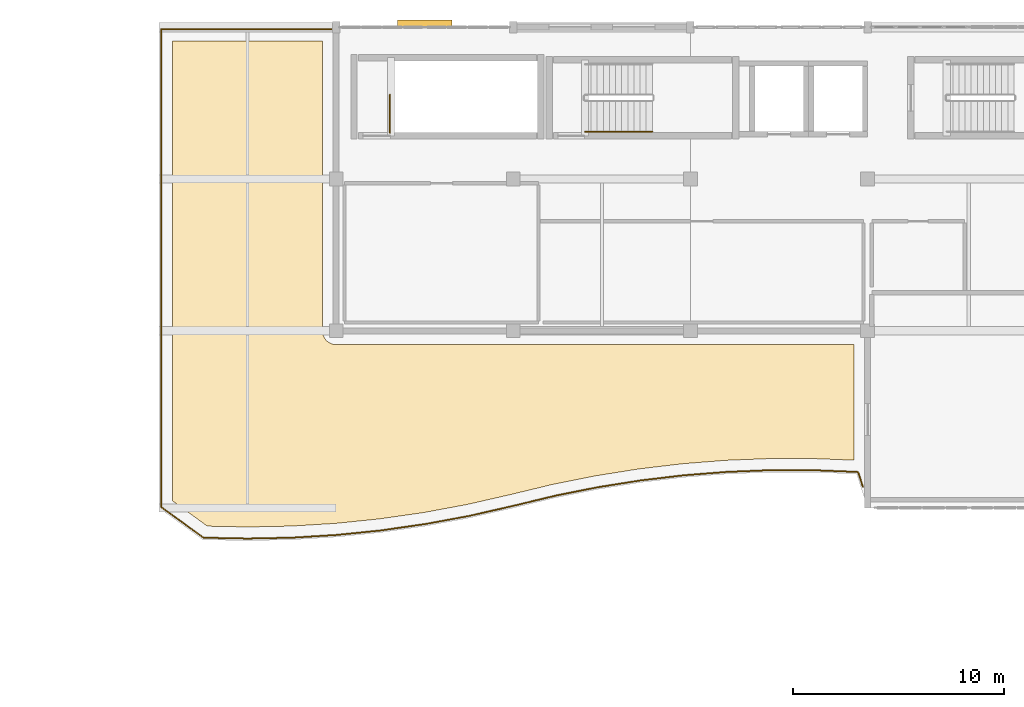
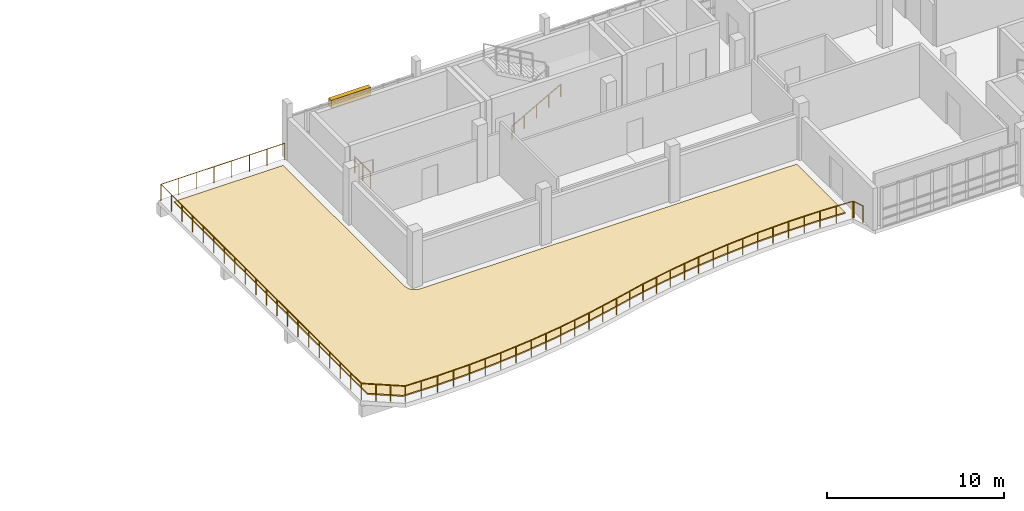
# One storey, part 23 of 25: 4 railings, 1 covering, 1 shading device.
"""IFC4 building model written with IfcOpenShell, lengths in metres."""

from ifc_helpers import new_model, si_unit, direction, frame, origin, origin_2d, place, context, subcontext, project, spatial, polyline, rectangle, circle, outline, extrude, material, layer, layer_set, type_object, element, save


model = new_model("IFC4")

# Units and contexts
model_context = context("Model", 3, precision=1e-05, world=origin(), true_north=direction((0.0, 1.0)))
body_context = subcontext(model_context, "Body", "Model", "MODEL_VIEW")
ifc_project = project(units=[si_unit("LENGTHUNIT", "METRE"), si_unit("AREAUNIT", "SQUARE_METRE"), si_unit("VOLUMEUNIT", "CUBIC_METRE"), si_unit("PLANEANGLEUNIT", "RADIAN"), si_unit("MASSUNIT", "GRAM", prefix="KILO")], contexts=[model_context])

# Site, building, storey
site_placement = place(None, origin())
site = spatial("IfcSite", under=ifc_project, at=site_placement, CompositionType="ELEMENT")
building_placement = place(site_placement, origin())
building = spatial("IfcBuilding", under=site, at=building_placement, Name="Kisaragi Civic Commons", CompositionType="ELEMENT")
storey_placement = place(building_placement, frame((0.0, 0.0, 13.5)))
storey = spatial("IfcBuildingStorey", under=building, at=storey_placement, Name="L03", CompositionType="ELEMENT", Elevation=13.5)

# Railings
ifc_material_1 = material(Name="Hot-dip galvanized and fluoropolymer-coated steel", Category="steel")
railing_type_1 = type_object("IfcRailingType", Name="GRD-E1", PredefinedType="GUARDRAIL", material=ifc_material_1)
railing_1_placement = place(storey_placement, frame((80.5, 96.051025390625, 0.0)))
element("IfcRailing", 1, at=railing_1_placement, inside=storey, type_object=railing_type_1, Name="V4 L03 terrace guardrail 11", PredefinedType="GUARDRAIL", context=body_context, shape_type="SweptSolid", body=[
    extrude(circle(Radius=0.02392578125, at=origin_2d()), frame((0.0, 0.0, 1.1259765625), z_axis=(0.0, 1.0, 0.0), x_axis=(-1.0, 0.0, 0.0)), (0.0, 0.0, 1.0), 22.64892578125),
    extrude(circle(Radius=0.02392578125, at=origin_2d()), frame((0.0, 22.64892578125, 1.1259765625), z_axis=(1.0, 0.0, 0.0), x_axis=(0.0, 1.0, 0.0)), (0.0, 0.0, 1.0), 8.080078125),
    extrude(circle(Radius=0.02099609375, at=origin_2d()), origin(), (0.0, 0.0, 1.0), 1.101806640625),
    extrude(circle(Radius=0.02099609375, at=origin_2d()), frame((0.0, 1.192138671875, 0.0)), (0.0, 0.0, 1.0), 1.101806640625),
    extrude(circle(Radius=0.02099609375, at=origin_2d()), frame((0.0, 2.384033203125, 0.0)), (0.0, 0.0, 1.0), 1.101806640625),
    extrude(circle(Radius=0.02099609375, at=origin_2d()), frame((0.0, 3.576171875, 0.0)), (0.0, 0.0, 1.0), 1.101806640625),
    extrude(circle(Radius=0.02099609375, at=origin_2d()), frame((0.0, 4.768310546875, 0.0)), (0.0, 0.0, 1.0), 1.101806640625),
    extrude(circle(Radius=0.02099609375, at=origin_2d()), frame((0.0, 5.960205078125, 0.0)), (0.0, 0.0, 1.0), 1.101806640625),
    extrude(circle(Radius=0.02099609375, at=origin_2d()), frame((0.0, 7.15234375, 0.0)), (0.0, 0.0, 1.0), 1.101806640625),
    extrude(circle(Radius=0.02099609375, at=origin_2d()), frame((0.0, 8.34423828125, 0.0)), (0.0, 0.0, 1.0), 1.101806640625),
    extrude(circle(Radius=0.02099609375, at=origin_2d()), frame((0.0, 9.536376953125, 0.0)), (0.0, 0.0, 1.0), 1.101806640625),
    extrude(circle(Radius=0.02099609375, at=origin_2d()), frame((0.0, 10.728515625, 0.0)), (0.0, 0.0, 1.0), 1.101806640625),
    extrude(circle(Radius=0.02099609375, at=origin_2d()), frame((0.0, 11.92041015625, 0.0)), (0.0, 0.0, 1.0), 1.101806640625),
    extrude(circle(Radius=0.02099609375, at=origin_2d()), frame((0.0, 13.112548828125, 0.0)), (0.0, 0.0, 1.0), 1.101806640625),
    extrude(circle(Radius=0.02099609375, at=origin_2d()), frame((0.0, 14.3046875, 0.0)), (0.0, 0.0, 1.0), 1.101806640625),
    extrude(circle(Radius=0.02099609375, at=origin_2d()), frame((0.0, 15.49658203125, 0.0)), (0.0, 0.0, 1.0), 1.101806640625),
    extrude(circle(Radius=0.02099609375, at=origin_2d()), frame((0.0, 16.688720703125, 0.0)), (0.0, 0.0, 1.0), 1.101806640625),
    extrude(circle(Radius=0.02099609375, at=origin_2d()), frame((0.0, 17.880615234375, 0.0)), (0.0, 0.0, 1.0), 1.101806640625),
    extrude(circle(Radius=0.02099609375, at=origin_2d()), frame((0.0, 19.07275390625, 0.0)), (0.0, 0.0, 1.0), 1.101806640625),
    extrude(circle(Radius=0.02099609375, at=origin_2d()), frame((0.0, 20.264892578125, 0.0)), (0.0, 0.0, 1.0), 1.101806640625),
    extrude(circle(Radius=0.02099609375, at=origin_2d()), frame((0.0, 21.456787109375, 0.0)), (0.0, 0.0, 1.0), 1.101806640625),
    extrude(circle(Radius=0.02099609375, at=origin_2d()), frame((0.0, 22.64892578125, 0.0)), (0.0, 0.0, 1.0), 1.101806640625),
    extrude(circle(Radius=0.02099609375, at=origin_2d()), frame((1.154296875, 22.64892578125, 0.0)), (0.0, 0.0, 1.0), 1.101806640625),
    extrude(circle(Radius=0.02099609375, at=origin_2d()), frame((2.30859375, 22.64892578125, 0.0)), (0.0, 0.0, 1.0), 1.101806640625),
    extrude(circle(Radius=0.02099609375, at=origin_2d()), frame((3.462890625, 22.64892578125, 0.0)), (0.0, 0.0, 1.0), 1.101806640625),
    extrude(circle(Radius=0.02099609375, at=origin_2d()), frame((4.6171875, 22.64892578125, 0.0)), (0.0, 0.0, 1.0), 1.101806640625),
    extrude(circle(Radius=0.02099609375, at=origin_2d()), frame((5.771484375, 22.64892578125, 0.0)), (0.0, 0.0, 1.0), 1.101806640625),
    extrude(circle(Radius=0.02099609375, at=origin_2d()), frame((6.92578125, 22.64892578125, 0.0)), (0.0, 0.0, 1.0), 1.101806640625),
    extrude(circle(Radius=0.02099609375, at=origin_2d()), frame((8.080078125, 22.64892578125, 0.0)), (0.0, 0.0, 1.0), 1.101806640625),
])
railing_2_placement = place(storey_placement, frame((113.780029296875, 97.004150390625, 0.0)))
element("IfcRailing", 2, at=railing_2_placement, inside=storey, type_object=railing_type_1, Name="V4 L03 terrace guardrail 12", PredefinedType="GUARDRAIL", context=body_context, shape_type="SweptSolid", body=[
    extrude(circle(Radius=0.02392578125, at=origin_2d()), frame((0.0, 0.0, 1.1259765625), z_axis=(-0.308033299945, 0.951375575745, 0.0), x_axis=(-0.951375575745, -0.308033299945, 0.0)), (0.0, 0.0, 1.0), 0.67138671875),
    extrude(circle(Radius=0.02392578125, at=origin_2d()), frame((-0.206787109375, 0.638671875, 1.1259765625), z_axis=(-0.358979079309, 0.933345606203, 0.0), x_axis=(-0.933345606203, -0.358979079309, 0.0)), (0.0, 0.0, 1.0), 0.01025390625),
    extrude(circle(Radius=0.02392578125, at=origin_2d()), frame((-0.21044921875, 0.648193359375, 1.1259765625), z_axis=(-0.428086344739, 0.903737838894, 0.0), x_axis=(-0.903737838894, -0.428086344739, 0.0)), (0.0, 0.0, 1.0), 0.01025390625),
    extrude(circle(Radius=0.02392578125, at=origin_2d()), frame((-0.21484375, 0.657470703125, 1.1259765625), z_axis=(-0.560309367704, 0.828283413128, 0.0), x_axis=(-0.828283413128, -0.560309367704, 0.0)), (0.0, 0.0, 1.0), 0.010009765625),
    extrude(circle(Radius=0.02392578125, at=origin_2d()), frame((-0.220458984375, 0.665771484375, 1.1259765625), z_axis=(-0.618872226604, 0.785491672228, 0.0), x_axis=(-0.785491672228, -0.618872226604, 0.0)), (0.0, 0.0, 1.0), 0.01025390625),
    extrude(circle(Radius=0.02392578125, at=origin_2d()), frame((-0.226806640625, 0.673828125, 1.1259765625), z_axis=(-0.68231825036, 0.731055268243, 0.0), x_axis=(-0.731055268243, -0.68231825036, 0.0)), (0.0, 0.0, 1.0), 0.010009765625),
    extrude(circle(Radius=0.02392578125, at=origin_2d()), frame((-0.233642578125, 0.68115234375, 1.1259765625), z_axis=(-0.764291483508, 0.64487093921, 0.0), x_axis=(-0.64487093921, -0.764291483508, 0.0)), (0.0, 0.0, 1.0), 0.01025390625),
    extrude(circle(Radius=0.02392578125, at=origin_2d()), frame((-0.241455078125, 0.687744140625, 1.1259765625), z_axis=(-0.835705479701, 0.549177886661, 0.0), x_axis=(-0.549177886661, -0.835705479701, 0.0)), (0.0, 0.0, 1.0), 0.01025390625),
    extrude(circle(Radius=0.02392578125, at=origin_2d()), frame((-0.25, 0.693359375, 1.1259765625), z_axis=(-0.874157276122, 0.485642931179, 0.0), x_axis=(-0.485642931179, -0.874157276122, 0.0)), (0.0, 0.0, 1.0), 0.010009765625),
    extrude(circle(Radius=0.02392578125, at=origin_2d()), frame((-0.2587890625, 0.6982421875, 1.1259765625), z_axis=(-0.925168618375, 0.379556356256, 0.0), x_axis=(-0.379556356256, -0.925168618375, 0.0)), (0.0, 0.0, 1.0), 0.01025390625),
    extrude(circle(Radius=0.02392578125, at=origin_2d()), frame((-0.268310546875, 0.7021484375, 1.1259765625), z_axis=(-0.955779008722, 0.294085848838, 0.0), x_axis=(-0.294085848838, -0.955779008722, 0.0)), (0.0, 0.0, 1.0), 0.010009765625),
    extrude(circle(Radius=0.02392578125, at=origin_2d()), frame((-0.27783203125, 0.705078125, 1.1259765625), z_axis=(-0.981490592026, 0.19151035942, 0.0), x_axis=(-0.19151035942, -0.981490592026, 0.0)), (0.0, 0.0, 1.0), 0.01025390625),
    extrude(circle(Radius=0.02392578125, at=origin_2d()), frame((-0.287841796875, 0.70703125, 1.1259765625), z_axis=(-0.997458699831, 0.071247049988, 0.0), x_axis=(-0.071247049988, -0.997458699831, 0.0)), (0.0, 0.0, 1.0), 0.01025390625),
    extrude(circle(Radius=0.02392578125, at=origin_2d()), frame((-0.298095703125, 0.707763671875, 1.1259765625), z_axis=(-0.999220404448, 0.039478897332, 0.0), x_axis=(-0.039478897332, -0.999220404448, 0.0)), (0.0, 0.0, 1.0), 2.05322265625),
    extrude(circle(Radius=0.02392578125, at=origin_2d()), frame((-2.349609375, 0.788818359375, 1.1259765625), z_axis=(-0.998052578483, 0.062378286155, 0.0), x_axis=(-0.062378286155, -0.998052578483, 0.0)), (0.0, 0.0, 1.0), 0.00390625),
    extrude(circle(Radius=0.02392578125, at=origin_2d()), frame((-2.353515625, 0.7890625, 1.1259765625), z_axis=(-1.0, 0.0, 0.0), x_axis=(0.0, -1.0, 0.0)), (0.0, 0.0, 1.0), 2.05322265625),
    extrude(circle(Radius=0.02392578125, at=origin_2d()), frame((-4.40673828125, 0.7890625, 1.1259765625), z_axis=(-0.998052578483, -0.062378286155, 0.0), x_axis=(0.062378286155, -0.998052578483, 0.0)), (0.0, 0.0, 1.0), 0.00390625),
    extrude(circle(Radius=0.02392578125, at=origin_2d()), frame((-4.41064453125, 0.788818359375, 1.1259765625), z_axis=(-0.99922021908, -0.039483588757, 0.0), x_axis=(0.039483588757, -0.99922021908, 0.0)), (0.0, 0.0, 1.0), 2.052978515625),
    extrude(circle(Radius=0.02392578125, at=origin_2d()), frame((-6.4619140625, 0.707763671875, 1.1259765625), z_axis=(-1.0, 0.0, 0.0), x_axis=(0.0, -1.0, 0.0)), (0.0, 0.0, 1.0), 0.004150390625),
    extrude(circle(Radius=0.02392578125, at=origin_2d()), frame((-6.466064453125, 0.707763671875, 1.1259765625), z_axis=(-0.996877736549, -0.078960612796, 0.0), x_axis=(0.078960612796, -0.996877736549, 0.0)), (0.0, 0.0, 1.0), 2.052978515625),
    extrude(circle(Radius=0.02392578125, at=origin_2d()), frame((-8.5126953125, 0.545654296875, 1.1259765625), z_axis=(-0.992277876714, -0.124034734589, 0.0), x_axis=(0.124034734589, -0.992277876714, 0.0)), (0.0, 0.0, 1.0), 0.00390625),
    extrude(circle(Radius=0.02392578125, at=origin_2d()), frame((-8.5166015625, 0.545166015625, 1.1259765625), z_axis=(-0.993004549051, -0.118076100731, 0.0), x_axis=(0.118076100731, -0.993004549051, 0.0)), (0.0, 0.0, 1.0), 2.05322265625),
    extrude(circle(Radius=0.02392578125, at=origin_2d()), frame((-10.555419921875, 0.302734375, 1.1259765625), z_axis=(-0.992277876714, -0.124034734589, 0.0), x_axis=(0.124034734589, -0.992277876714, 0.0)), (0.0, 0.0, 1.0), 0.00390625),
    extrude(circle(Radius=0.02392578125, at=origin_2d()), frame((-10.559326171875, 0.30224609375, 1.1259765625), z_axis=(-0.98754505364, -0.157336477115, 0.0), x_axis=(0.157336477115, -0.98754505364, 0.0)), (0.0, 0.0, 1.0), 2.052978515625),
    extrude(circle(Radius=0.02392578125, at=origin_2d()), frame((-12.586669921875, -0.020751953125, 1.1259765625), z_axis=(-0.982872186934, -0.18428853505, 0.0), x_axis=(0.18428853505, -0.982872186934, 0.0)), (0.0, 0.0, 1.0), 0.00390625),
    extrude(circle(Radius=0.02392578125, at=origin_2d()), frame((-12.590576171875, -0.021484375, 1.1259765625), z_axis=(-0.980585249135, -0.196093266532, 0.0), x_axis=(0.196093266532, -0.980585249135, 0.0)), (0.0, 0.0, 1.0), 2.052978515625),
    extrude(circle(Radius=0.02392578125, at=origin_2d()), frame((-14.603759765625, -0.424072265625, 1.1259765625), z_axis=(-0.970142500145, -0.242535625036, 0.0), x_axis=(0.242535625036, -0.970142500145, 0.0)), (0.0, 0.0, 1.0), 0.00390625),
    extrude(circle(Radius=0.02392578125, at=origin_2d()), frame((-14.607666015625, -0.425048828125, 1.1259765625), z_axis=(-0.972076595512, -0.234663785996, 0.0), x_axis=(0.234663785996, -0.972076595512, 0.0)), (0.0, 0.0, 1.0), 2.052734375),
    extrude(circle(Radius=0.02392578125, at=origin_2d()), frame((-16.60302734375, -0.90673828125, 1.1259765625), z_axis=(-0.974920699526, -0.222552532307, 0.0), x_axis=(0.222552532307, -0.974920699526, 0.0)), (0.0, 0.0, 1.0), 2.118408203125),
    extrude(circle(Radius=0.02392578125, at=origin_2d()), frame((-18.668212890625, -1.378173828125, 1.1259765625), z_axis=(-0.98321002825, -0.182477506416, 0.0), x_axis=(0.182477506416, -0.98321002825, 0.0)), (0.0, 0.0, 1.0), 2.11669921875),
    extrude(circle(Radius=0.02392578125, at=origin_2d()), frame((-20.749267578125, -1.764404296875, 1.1259765625), z_axis=(-0.989822239462, -0.142309290865, 0.0), x_axis=(0.142309290865, -0.989822239462, 0.0)), (0.0, 0.0, 1.0), 2.116943359375),
    extrude(circle(Radius=0.02392578125, at=origin_2d()), frame((-22.8447265625, -2.065673828125, 1.1259765625), z_axis=(-0.994801528172, -0.101832801922, 0.0), x_axis=(0.101832801922, -0.994801528172, 0.0)), (0.0, 0.0, 1.0), 2.116943359375),
    extrude(circle(Radius=0.02392578125, at=origin_2d()), frame((-24.95068359375, -2.28125, 1.1259765625), z_axis=(-0.998130315711, -0.061121787097, 0.0), x_axis=(0.061121787097, -0.998130315711, 0.0)), (0.0, 0.0, 1.0), 2.116943359375),
    extrude(circle(Radius=0.02392578125, at=origin_2d()), frame((-27.063720703125, -2.41064453125, 1.1259765625), z_axis=(-0.999791578297, -0.020415679437, 0.0), x_axis=(0.020415679437, -0.999791578297, 0.0)), (0.0, 0.0, 1.0), 2.11669921875),
    extrude(circle(Radius=0.02392578125, at=origin_2d()), frame((-29.179931640625, -2.453857421875, 1.1259765625), z_axis=(-0.999790599631, 0.020463550285, 0.0), x_axis=(-0.020463550285, -0.999790599631, 0.0)), (0.0, 0.0, 1.0), 2.087890625),
    extrude(circle(Radius=0.02392578125, at=origin_2d()), frame((-31.267333984375, -2.4111328125, 1.1259765625), z_axis=(-0.809839124522, 0.58665201985, 0.0), x_axis=(-0.58665201985, -0.809839124522, 0.0)), (0.0, 0.0, 1.0), 2.4853515625),
    extrude(circle(Radius=0.02099609375, at=origin_2d()), origin(), (0.0, 0.0, 1.0), 1.101806640625),
    extrude(circle(Radius=0.02099609375, at=origin_2d()), frame((-0.206787109375, 0.638671875, 0.0)), (0.0, 0.0, 1.0), 1.101806640625),
    extrude(circle(Radius=0.02099609375, at=origin_2d()), frame((-0.21044921875, 0.648193359375, 0.0)), (0.0, 0.0, 1.0), 1.101806640625),
    extrude(circle(Radius=0.02099609375, at=origin_2d()), frame((-0.21484375, 0.657470703125, 0.0)), (0.0, 0.0, 1.0), 1.101806640625),
    extrude(circle(Radius=0.02099609375, at=origin_2d()), frame((-0.220458984375, 0.665771484375, 0.0)), (0.0, 0.0, 1.0), 1.101806640625),
    extrude(circle(Radius=0.02099609375, at=origin_2d()), frame((-0.226806640625, 0.673828125, 0.0)), (0.0, 0.0, 1.0), 1.101806640625),
    extrude(circle(Radius=0.02099609375, at=origin_2d()), frame((-0.233642578125, 0.68115234375, 0.0)), (0.0, 0.0, 1.0), 1.101806640625),
    extrude(circle(Radius=0.02099609375, at=origin_2d()), frame((-0.241455078125, 0.687744140625, 0.0)), (0.0, 0.0, 1.0), 1.101806640625),
    extrude(circle(Radius=0.02099609375, at=origin_2d()), frame((-0.25, 0.693359375, 0.0)), (0.0, 0.0, 1.0), 1.101806640625),
    extrude(circle(Radius=0.02099609375, at=origin_2d()), frame((-0.2587890625, 0.6982421875, 0.0)), (0.0, 0.0, 1.0), 1.101806640625),
    extrude(circle(Radius=0.02099609375, at=origin_2d()), frame((-0.268310546875, 0.7021484375, 0.0)), (0.0, 0.0, 1.0), 1.101806640625),
    extrude(circle(Radius=0.02099609375, at=origin_2d()), frame((-0.27783203125, 0.705078125, 0.0)), (0.0, 0.0, 1.0), 1.101806640625),
    extrude(circle(Radius=0.02099609375, at=origin_2d()), frame((-0.287841796875, 0.70703125, 0.0)), (0.0, 0.0, 1.0), 1.101806640625),
    extrude(circle(Radius=0.02099609375, at=origin_2d()), frame((-0.298095703125, 0.707763671875, 0.0)), (0.0, 0.0, 1.0), 1.101806640625),
    extrude(circle(Radius=0.02099609375, at=origin_2d()), frame((-1.32373046875, 0.748291015625, 0.0)), (0.0, 0.0, 1.0), 1.101806640625),
    extrude(circle(Radius=0.02099609375, at=origin_2d()), frame((-2.349609375, 0.788818359375, 0.0)), (0.0, 0.0, 1.0), 1.101806640625),
    extrude(circle(Radius=0.02099609375, at=origin_2d()), frame((-2.353515625, 0.7890625, 0.0)), (0.0, 0.0, 1.0), 1.101806640625),
    extrude(circle(Radius=0.02099609375, at=origin_2d()), frame((-3.380126953125, 0.7890625, 0.0)), (0.0, 0.0, 1.0), 1.101806640625),
    extrude(circle(Radius=0.02099609375, at=origin_2d()), frame((-4.40673828125, 0.7890625, 0.0)), (0.0, 0.0, 1.0), 1.101806640625),
    extrude(circle(Radius=0.02099609375, at=origin_2d()), frame((-4.41064453125, 0.788818359375, 0.0)), (0.0, 0.0, 1.0), 1.101806640625),
    extrude(circle(Radius=0.02099609375, at=origin_2d()), frame((-5.436279296875, 0.748291015625, 0.0)), (0.0, 0.0, 1.0), 1.101806640625),
    extrude(circle(Radius=0.02099609375, at=origin_2d()), frame((-6.4619140625, 0.707763671875, 0.0)), (0.0, 0.0, 1.0), 1.101806640625),
    extrude(circle(Radius=0.02099609375, at=origin_2d()), frame((-6.466064453125, 0.707763671875, 0.0)), (0.0, 0.0, 1.0), 1.101806640625),
    extrude(circle(Radius=0.02099609375, at=origin_2d()), frame((-7.4892578125, 0.626708984375, 0.0)), (0.0, 0.0, 1.0), 1.101806640625),
    extrude(circle(Radius=0.02099609375, at=origin_2d()), frame((-8.5126953125, 0.545654296875, 0.0)), (0.0, 0.0, 1.0), 1.101806640625),
    extrude(circle(Radius=0.02099609375, at=origin_2d()), frame((-8.5166015625, 0.545166015625, 0.0)), (0.0, 0.0, 1.0), 1.101806640625),
    extrude(circle(Radius=0.02099609375, at=origin_2d()), frame((-9.5361328125, 0.423828125, 0.0)), (0.0, 0.0, 1.0), 1.101806640625),
    extrude(circle(Radius=0.02099609375, at=origin_2d()), frame((-10.555419921875, 0.302734375, 0.0)), (0.0, 0.0, 1.0), 1.101806640625),
    extrude(circle(Radius=0.02099609375, at=origin_2d()), frame((-10.559326171875, 0.30224609375, 0.0)), (0.0, 0.0, 1.0), 1.101806640625),
    extrude(circle(Radius=0.02099609375, at=origin_2d()), frame((-11.572998046875, 0.140625, 0.0)), (0.0, 0.0, 1.0), 1.101806640625),
    extrude(circle(Radius=0.02099609375, at=origin_2d()), frame((-12.586669921875, -0.020751953125, 0.0)), (0.0, 0.0, 1.0), 1.101806640625),
    extrude(circle(Radius=0.02099609375, at=origin_2d()), frame((-12.590576171875, -0.021484375, 0.0)), (0.0, 0.0, 1.0), 1.101806640625),
    extrude(circle(Radius=0.02099609375, at=origin_2d()), frame((-13.59716796875, -0.22265625, 0.0)), (0.0, 0.0, 1.0), 1.101806640625),
    extrude(circle(Radius=0.02099609375, at=origin_2d()), frame((-14.603759765625, -0.424072265625, 0.0)), (0.0, 0.0, 1.0), 1.101806640625),
    extrude(circle(Radius=0.02099609375, at=origin_2d()), frame((-14.607666015625, -0.425048828125, 0.0)), (0.0, 0.0, 1.0), 1.101806640625),
    extrude(circle(Radius=0.02099609375, at=origin_2d()), frame((-15.60546875, -0.666015625, 0.0)), (0.0, 0.0, 1.0), 1.101806640625),
    extrude(circle(Radius=0.02099609375, at=origin_2d()), frame((-16.60302734375, -0.90673828125, 0.0)), (0.0, 0.0, 1.0), 1.101806640625),
    extrude(circle(Radius=0.02099609375, at=origin_2d()), frame((-17.6357421875, -1.142578125, 0.0)), (0.0, 0.0, 1.0), 1.101806640625),
    extrude(circle(Radius=0.02099609375, at=origin_2d()), frame((-18.668212890625, -1.378173828125, 0.0)), (0.0, 0.0, 1.0), 1.101806640625),
    extrude(circle(Radius=0.02099609375, at=origin_2d()), frame((-19.708740234375, -1.5712890625, 0.0)), (0.0, 0.0, 1.0), 1.101806640625),
    extrude(circle(Radius=0.02099609375, at=origin_2d()), frame((-20.749267578125, -1.764404296875, 0.0)), (0.0, 0.0, 1.0), 1.101806640625),
    extrude(circle(Radius=0.02099609375, at=origin_2d()), frame((-21.796875, -1.9150390625, 0.0)), (0.0, 0.0, 1.0), 1.101806640625),
    extrude(circle(Radius=0.02099609375, at=origin_2d()), frame((-22.8447265625, -2.065673828125, 0.0)), (0.0, 0.0, 1.0), 1.101806640625),
    extrude(circle(Radius=0.02099609375, at=origin_2d()), frame((-23.897705078125, -2.17333984375, 0.0)), (0.0, 0.0, 1.0), 1.101806640625),
    extrude(circle(Radius=0.02099609375, at=origin_2d()), frame((-24.95068359375, -2.28125, 0.0)), (0.0, 0.0, 1.0), 1.101806640625),
    extrude(circle(Radius=0.02099609375, at=origin_2d()), frame((-26.00732421875, -2.345947265625, 0.0)), (0.0, 0.0, 1.0), 1.101806640625),
    extrude(circle(Radius=0.02099609375, at=origin_2d()), frame((-27.063720703125, -2.41064453125, 0.0)), (0.0, 0.0, 1.0), 1.101806640625),
    extrude(circle(Radius=0.02099609375, at=origin_2d()), frame((-28.121826171875, -2.43212890625, 0.0)), (0.0, 0.0, 1.0), 1.101806640625),
    extrude(circle(Radius=0.02099609375, at=origin_2d()), frame((-29.179931640625, -2.453857421875, 0.0)), (0.0, 0.0, 1.0), 1.101806640625),
    extrude(circle(Radius=0.02099609375, at=origin_2d()), frame((-30.2236328125, -2.4326171875, 0.0)), (0.0, 0.0, 1.0), 1.101806640625),
    extrude(circle(Radius=0.02099609375, at=origin_2d()), frame((-31.267333984375, -2.4111328125, 0.0)), (0.0, 0.0, 1.0), 1.101806640625),
    extrude(circle(Radius=0.02099609375, at=origin_2d()), frame((-31.938232421875, -1.925048828125, 0.0)), (0.0, 0.0, 1.0), 1.101806640625),
    extrude(circle(Radius=0.02099609375, at=origin_2d()), frame((-32.609130859375, -1.439208984375, 0.0)), (0.0, 0.0, 1.0), 1.101806640625),
    extrude(circle(Radius=0.02099609375, at=origin_2d()), frame((-33.280029296875, -0.953125, 0.0)), (0.0, 0.0, 1.0), 1.101806640625),
])
ifc_material_2 = material(Name="Powder-coated architectural steel and hinoki cap rail", Category="steel")
railing_type_2 = type_object("IfcRailingType", Name="GRD-S1", PredefinedType="GUARDRAIL", material=ifc_material_2)
railing_3_placement = place(storey_placement, frame((91.35009765625, 113.800048828125, 0.0)))
element("IfcRailing", 3, at=railing_3_placement, inside=storey, type_object=railing_type_2, Name="L03 ST-L4 top well guard 1", PredefinedType="GUARDRAIL", context=body_context, shape_type="SweptSolid", body=[
    extrude(circle(Radius=0.02392578125, at=origin_2d()), frame((0.0, 0.0, 1.1259765625), z_axis=(0.0, 1.0, 0.0), x_axis=(-1.0, 0.0, 0.0)), (0.0, 0.0, 1.0), 1.800048828125),
    extrude(circle(Radius=0.02099609375, at=origin_2d()), origin(), (0.0, 0.0, 1.0), 1.101806640625),
    extrude(circle(Radius=0.02099609375, at=origin_2d()), frame((0.0, 0.89990234375, 0.0)), (0.0, 0.0, 1.0), 1.101806640625),
    extrude(circle(Radius=0.02099609375, at=origin_2d()), frame((0.0, 1.800048828125, 0.0)), (0.0, 0.0, 1.0), 1.101806640625),
])
railing_type_3 = type_object("IfcRailingType", Name="HRL-01", PredefinedType="HANDRAIL", material=ifc_material_2)
railing_4_placement = place(storey_placement, frame((100.60009765625, 113.85009765625, 0.16259765625)))
element("IfcRailing", 4, at=railing_4_placement, inside=storey, type_object=railing_type_3, Name="L03 ST-L1 stair handrail 1", PredefinedType="HANDRAIL", context=body_context, shape_type="SweptSolid", body=[
    extrude(circle(Radius=0.02392578125, at=origin_2d()), frame((0.0, 0.0, 0.8759765625), z_axis=(0.872390997893, 0.0, 0.488808701636), x_axis=(0.0, 1.0, 0.0)), (0.0, 0.0, 1.0), 3.656494140625),
    extrude(circle(Radius=0.02099609375, at=origin_2d()), origin(), (0.0, 0.0, 1.0), 0.851806640625),
    extrude(circle(Radius=0.02099609375, at=origin_2d()), frame((0.79736328125, 0.0, 0.44677734375)), (0.0, 0.0, 1.0), 0.851806640625),
    extrude(circle(Radius=0.02099609375, at=origin_2d()), frame((1.594970703125, 0.0, 0.8935546875)), (0.0, 0.0, 1.0), 0.851806640625),
    extrude(circle(Radius=0.02099609375, at=origin_2d()), frame((2.392578125, 0.0, 1.340576171875)), (0.0, 0.0, 1.0), 0.851806640625),
    extrude(circle(Radius=0.02099609375, at=origin_2d()), frame((3.18994140625, 0.0, 1.787353515625)), (0.0, 0.0, 1.0), 0.851806640625),
])

# Covering
ifc_material_3 = material(Name="Extensive sedum planted roof assembly")
ifc_layer_1 = layer(ifc_material_3, 0.0849609375, Name="Extensive sedum planted roof assembly")
ifc_layer_set_1 = layer_set([ifc_layer_1], Name="Extensive sedum planted roof assembly")
covering_type = type_object("IfcCoveringType", Name="RFG-02", PredefinedType="ROOFING", material=ifc_layer_set_1)
covering_placement = place(storey_placement, origin())
element("IfcCovering", 5, at=covering_placement, inside=storey, type_object=covering_type, Name="V4 L03 planted terrace sedum covering", PredefinedType="ROOFING", context=body_context, shape_type="SweptSolid", body=[
    extrude(outline(polyline([(81.050048828125, 96.331787109375), (81.050048828125, 118.14990234375), (88.14990234375, 118.14990234375), (88.14990234375, 104.39990234375), (88.153076171875, 104.336181640625), (88.16259765625, 104.273193359375), (88.177978515625, 104.211181640625), (88.199462890625, 104.1513671875), (88.226806640625, 104.093505859375), (88.259521484375, 104.038818359375), (88.297607421875, 103.987548828125), (88.34033203125, 103.9404296875), (88.3876953125, 103.8974609375), (88.43896484375, 103.859619140625), (88.49365234375, 103.826904296875), (88.55126953125, 103.799560546875), (88.611328125, 103.778076171875), (88.673095703125, 103.762451171875), (88.736328125, 103.753173828125), (88.800048828125, 103.75), (113.35009765625, 103.75), (113.35009765625, 98.267578125), (111.4521484375, 98.342529296875), (111.426513671875, 98.343017578125), (109.373291015625, 98.343017578125), (109.347900390625, 98.342529296875), (107.29638671875, 98.26171875), (107.2705078125, 98.260009765625), (105.223876953125, 98.09814453125), (105.198486328125, 98.095458984375), (103.15966796875, 97.852783203125), (103.13427734375, 97.849365234375), (101.106689453125, 97.526611328125), (101.08154296875, 97.52197265625), (99.068359375, 97.119384765625), (99.043212890625, 97.11376953125), (97.051513671875, 96.6328125), (95.00048828125, 96.164794921875), (92.94140625, 95.782470703125), (90.8681640625, 95.484619140625), (88.784423828125, 95.271240234375), (86.694091796875, 95.143310546875), (84.60009765625, 95.1005859375), (82.696044921875, 95.139404296875), (81.050048828125, 96.331787109375)])), origin(), (0.0, 0.0, 1.0), 0.0849609375),
])

# Shading device
ifc_material_4 = material(Name="Extruded Tokoname terracotta sun-louvre blade", Category="masonry")
ifc_layer_2 = layer(ifc_material_4, 0.550048828125, Name="Extruded Tokoname terracotta sun-louvre blade", Category="masonry")
ifc_layer_set_2 = layer_set([ifc_layer_2], Name="Extruded Tokoname terracotta sun-louvre blade")
shading_device_type = type_object("IfcShadingDeviceType", Name="SHD-02", PredefinedType="JALOUSIE", material=ifc_layer_set_2)
shading_device_placement = place(storey_placement, frame((93.0, 118.989990234375, 2.35498046875), z_axis=(0.0, 0.0, 1.0), x_axis=(1.0, 0.0, 0.0)))
element("IfcShadingDevice", 6, at=shading_device_placement, inside=storey, type_object=shading_device_type, Name="V4 L03 terracotta sun-louvre 14", PredefinedType="JALOUSIE", context=body_context, shape_type="SweptSolid", body=[
    extrude(rectangle(XDim=2.60009765625, YDim=0.300048828125, at=origin_2d()), origin(), (0.0, 0.0, 1.0), 0.550048828125),
])

save(model, "model.ifc")
